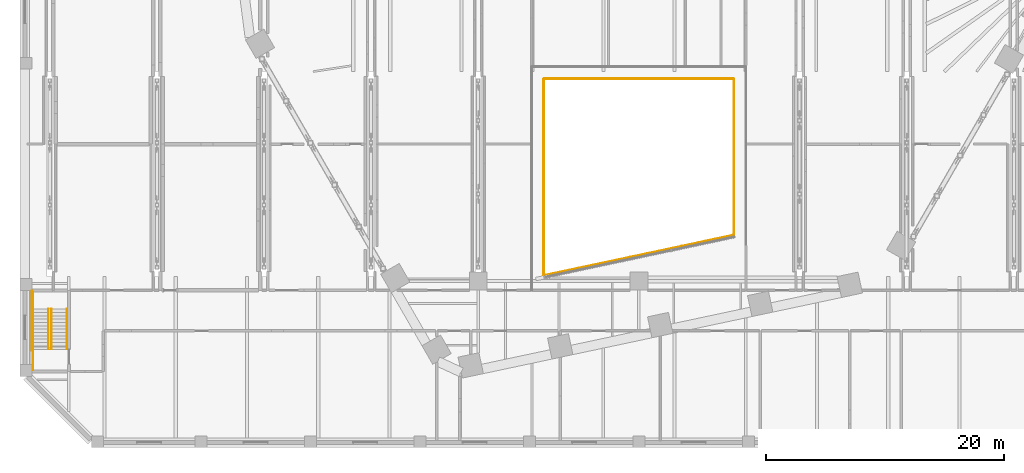
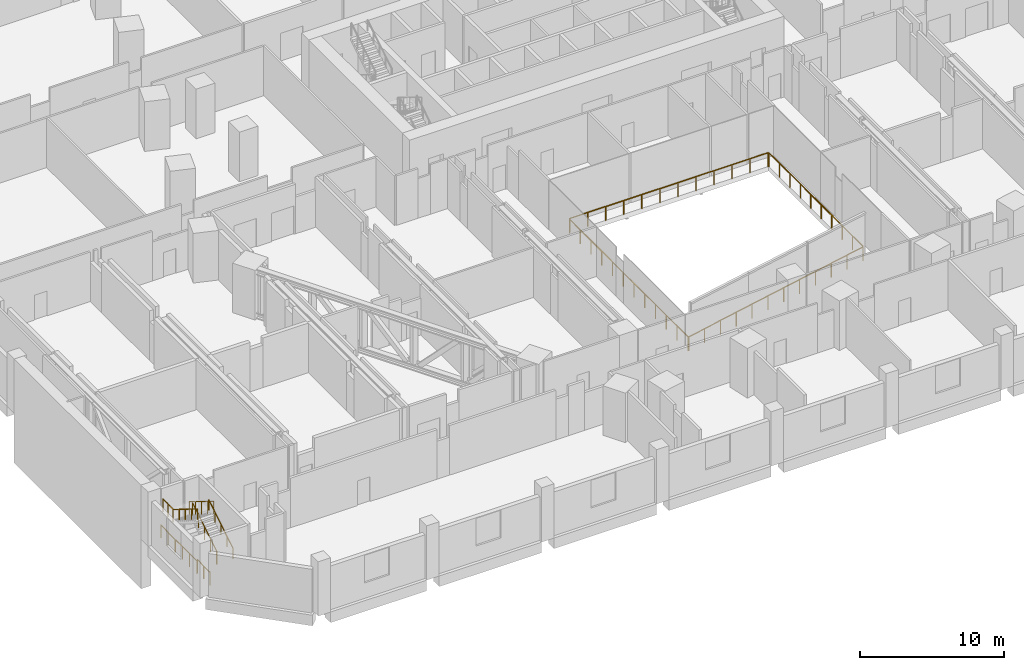
# One storey, part 28 of 32: 11 railings.
"""IFC4 building model written with IfcOpenShell, lengths in metres."""

from ifc_helpers import new_model, si_unit, direction, frame, origin, origin_2d, place, context, subcontext, project, spatial, circle, extrude, material, type_object, element, save


model = new_model("IFC4")

# Units and contexts
model_context = context("Model", 3, precision=1e-05, world=origin(), true_north=direction((0.0, 1.0)))
body_context = subcontext(model_context, "Body", "Model", "MODEL_VIEW")
ifc_project = project(units=[si_unit("LENGTHUNIT", "METRE"), si_unit("AREAUNIT", "SQUARE_METRE"), si_unit("VOLUMEUNIT", "CUBIC_METRE"), si_unit("PLANEANGLEUNIT", "RADIAN"), si_unit("MASSUNIT", "GRAM", prefix="KILO")], contexts=[model_context])

# Site, building, storey
site_placement = place(None, origin())
site = spatial("IfcSite", under=ifc_project, at=site_placement, CompositionType="ELEMENT")
building_placement = place(site_placement, origin())
building = spatial("IfcBuilding", under=site, at=building_placement, Name="Isthmus Gate Tower", CompositionType="ELEMENT")
storey_placement = place(building_placement, frame((0.0, 0.0, 18.0)))
storey = spatial("IfcBuildingStorey", under=building, at=storey_placement, Name="L02", CompositionType="ELEMENT", Elevation=18.0)

# Railings
ifc_material_1 = material(Name="Toughened laminated glass with stainless steel handrail", Category="steel")
railing_type_1 = type_object("IfcRailingType", Name="Atrium glass guard 1200", PredefinedType="GUARDRAIL", material=ifc_material_1)
railing_1_placement = place(storey_placement, frame((-7.951171875, -26.53369140625, 0.0)))
element("IfcRailing", 1, at=railing_1_placement, inside=storey, type_object=railing_type_1, Name="L02 atrium glass guard 1", PredefinedType="GUARDRAIL", context=body_context, shape_type="SweptSolid", body=[
    extrude(circle(Radius=0.030029296875, at=origin_2d()), frame((0.0, 0.0, 1.169921875), z_axis=(0.978147857881, 0.20791048103, 0.0), x_axis=(-0.20791048103, 0.978147857881, 0.0)), (0.0, 0.0, 1.0), 16.257568359375),
    extrude(circle(Radius=0.02490234375, at=origin_2d()), origin(), (0.0, 0.0, 1.0), 1.139892578125),
    extrude(circle(Radius=0.02490234375, at=origin_2d()), frame((1.445556640625, 0.307373046875, 0.0)), (0.0, 0.0, 1.0), 1.139892578125),
    extrude(circle(Radius=0.02490234375, at=origin_2d()), frame((2.891357421875, 0.614501953125, 0.0)), (0.0, 0.0, 1.0), 1.139892578125),
    extrude(circle(Radius=0.02490234375, at=origin_2d()), frame((4.3369140625, 0.921875, 0.0)), (0.0, 0.0, 1.0), 1.139892578125),
    extrude(circle(Radius=0.02490234375, at=origin_2d()), frame((5.78271484375, 1.229248046875, 0.0)), (0.0, 0.0, 1.0), 1.139892578125),
    extrude(circle(Radius=0.02490234375, at=origin_2d()), frame((7.228271484375, 1.536376953125, 0.0)), (0.0, 0.0, 1.0), 1.139892578125),
    extrude(circle(Radius=0.02490234375, at=origin_2d()), frame((8.674072265625, 1.84375, 0.0)), (0.0, 0.0, 1.0), 1.139892578125),
    extrude(circle(Radius=0.02490234375, at=origin_2d()), frame((10.11962890625, 2.15087890625, 0.0)), (0.0, 0.0, 1.0), 1.139892578125),
    extrude(circle(Radius=0.02490234375, at=origin_2d()), frame((11.5654296875, 2.458251953125, 0.0)), (0.0, 0.0, 1.0), 1.139892578125),
    extrude(circle(Radius=0.02490234375, at=origin_2d()), frame((13.010986328125, 2.765625, 0.0)), (0.0, 0.0, 1.0), 1.139892578125),
    extrude(circle(Radius=0.02490234375, at=origin_2d()), frame((14.456787109375, 3.07275390625, 0.0)), (0.0, 0.0, 1.0), 1.139892578125),
    extrude(circle(Radius=0.02490234375, at=origin_2d()), frame((15.90234375, 3.380126953125, 0.0)), (0.0, 0.0, 1.0), 1.139892578125),
])
railing_2_placement = place(storey_placement, frame((8.0, -23.09326171875, 0.0)))
element("IfcRailing", 2, at=railing_2_placement, inside=storey, type_object=railing_type_1, Name="L02 atrium glass guard 2", PredefinedType="GUARDRAIL", context=body_context, shape_type="SweptSolid", body=[
    extrude(circle(Radius=0.030029296875, at=origin_2d()), frame((0.0, 0.0, 1.169921875), z_axis=(0.0, 1.0, 0.0), x_axis=(-1.0, 0.0, 0.0)), (0.0, 0.0, 1.0), 13.043212890625),
    extrude(circle(Radius=0.02490234375, at=origin_2d()), origin(), (0.0, 0.0, 1.0), 1.139892578125),
    extrude(circle(Radius=0.02490234375, at=origin_2d()), frame((0.0, 1.44921875, 0.0)), (0.0, 0.0, 1.0), 1.139892578125),
    extrude(circle(Radius=0.02490234375, at=origin_2d()), frame((0.0, 2.8984375, 0.0)), (0.0, 0.0, 1.0), 1.139892578125),
    extrude(circle(Radius=0.02490234375, at=origin_2d()), frame((0.0, 4.34765625, 0.0)), (0.0, 0.0, 1.0), 1.139892578125),
    extrude(circle(Radius=0.02490234375, at=origin_2d()), frame((0.0, 5.796875, 0.0)), (0.0, 0.0, 1.0), 1.139892578125),
    extrude(circle(Radius=0.02490234375, at=origin_2d()), frame((0.0, 7.246337890625, 0.0)), (0.0, 0.0, 1.0), 1.139892578125),
    extrude(circle(Radius=0.02490234375, at=origin_2d()), frame((0.0, 8.695556640625, 0.0)), (0.0, 0.0, 1.0), 1.139892578125),
    extrude(circle(Radius=0.02490234375, at=origin_2d()), frame((0.0, 10.144775390625, 0.0)), (0.0, 0.0, 1.0), 1.139892578125),
    extrude(circle(Radius=0.02490234375, at=origin_2d()), frame((0.0, 11.593994140625, 0.0)), (0.0, 0.0, 1.0), 1.139892578125),
    extrude(circle(Radius=0.02490234375, at=origin_2d()), frame((0.0, 13.043212890625, 0.0)), (0.0, 0.0, 1.0), 1.139892578125),
])
railing_3_placement = place(storey_placement, frame((7.949951171875, -10.0, 0.0)))
element("IfcRailing", 3, at=railing_3_placement, inside=storey, type_object=railing_type_1, Name="L02 atrium glass guard 3", PredefinedType="GUARDRAIL", context=body_context, shape_type="SweptSolid", body=[
    extrude(circle(Radius=0.030029296875, at=origin_2d()), frame((0.0, 0.0, 1.169921875), z_axis=(-1.0, 0.0, 0.0), x_axis=(0.0, -1.0, 0.0)), (0.0, 0.0, 1.0), 15.89990234375),
    extrude(circle(Radius=0.02490234375, at=origin_2d()), origin(), (0.0, 0.0, 1.0), 1.139892578125),
    extrude(circle(Radius=0.02490234375, at=origin_2d()), frame((-1.445556640625, 0.0, 0.0)), (0.0, 0.0, 1.0), 1.139892578125),
    extrude(circle(Radius=0.02490234375, at=origin_2d()), frame((-2.890869140625, 0.0, 0.0)), (0.0, 0.0, 1.0), 1.139892578125),
    extrude(circle(Radius=0.02490234375, at=origin_2d()), frame((-4.33642578125, 0.0, 0.0)), (0.0, 0.0, 1.0), 1.139892578125),
    extrude(circle(Radius=0.02490234375, at=origin_2d()), frame((-5.78173828125, 0.0, 0.0)), (0.0, 0.0, 1.0), 1.139892578125),
    extrude(circle(Radius=0.02490234375, at=origin_2d()), frame((-7.227294921875, 0.0, 0.0)), (0.0, 0.0, 1.0), 1.139892578125),
    extrude(circle(Radius=0.02490234375, at=origin_2d()), frame((-8.672607421875, 0.0, 0.0)), (0.0, 0.0, 1.0), 1.139892578125),
    extrude(circle(Radius=0.02490234375, at=origin_2d()), frame((-10.1181640625, 0.0, 0.0)), (0.0, 0.0, 1.0), 1.139892578125),
    extrude(circle(Radius=0.02490234375, at=origin_2d()), frame((-11.5634765625, 0.0, 0.0)), (0.0, 0.0, 1.0), 1.139892578125),
    extrude(circle(Radius=0.02490234375, at=origin_2d()), frame((-13.009033203125, 0.0, 0.0)), (0.0, 0.0, 1.0), 1.139892578125),
    extrude(circle(Radius=0.02490234375, at=origin_2d()), frame((-14.454345703125, 0.0, 0.0)), (0.0, 0.0, 1.0), 1.139892578125),
    extrude(circle(Radius=0.02490234375, at=origin_2d()), frame((-15.89990234375, 0.0, 0.0)), (0.0, 0.0, 1.0), 1.139892578125),
])
railing_4_placement = place(storey_placement, frame((-8.0, -10.050048828125, 0.0)))
element("IfcRailing", 4, at=railing_4_placement, inside=storey, type_object=railing_type_1, Name="L02 atrium glass guard 4", PredefinedType="GUARDRAIL", context=body_context, shape_type="SweptSolid", body=[
    extrude(circle(Radius=0.030029296875, at=origin_2d()), frame((0.0, 0.0, 1.169921875), z_axis=(0.0, -1.0, 0.0), x_axis=(1.0, 0.0, 0.0)), (0.0, 0.0, 1.0), 16.444091796875),
    extrude(circle(Radius=0.02490234375, at=origin_2d()), origin(), (0.0, 0.0, 1.0), 1.139892578125),
    extrude(circle(Radius=0.02490234375, at=origin_2d()), frame((0.0, -1.494873046875, 0.0)), (0.0, 0.0, 1.0), 1.139892578125),
    extrude(circle(Radius=0.02490234375, at=origin_2d()), frame((0.0, -2.98974609375, 0.0)), (0.0, 0.0, 1.0), 1.139892578125),
    extrude(circle(Radius=0.02490234375, at=origin_2d()), frame((0.0, -4.48486328125, 0.0)), (0.0, 0.0, 1.0), 1.139892578125),
    extrude(circle(Radius=0.02490234375, at=origin_2d()), frame((0.0, -5.979736328125, 0.0)), (0.0, 0.0, 1.0), 1.139892578125),
    extrude(circle(Radius=0.02490234375, at=origin_2d()), frame((0.0, -7.474609375, 0.0)), (0.0, 0.0, 1.0), 1.139892578125),
    extrude(circle(Radius=0.02490234375, at=origin_2d()), frame((0.0, -8.969482421875, 0.0)), (0.0, 0.0, 1.0), 1.139892578125),
    extrude(circle(Radius=0.02490234375, at=origin_2d()), frame((0.0, -10.46435546875, 0.0)), (0.0, 0.0, 1.0), 1.139892578125),
    extrude(circle(Radius=0.02490234375, at=origin_2d()), frame((0.0, -11.959228515625, 0.0)), (0.0, 0.0, 1.0), 1.139892578125),
    extrude(circle(Radius=0.02490234375, at=origin_2d()), frame((0.0, -13.454345703125, 0.0)), (0.0, 0.0, 1.0), 1.139892578125),
    extrude(circle(Radius=0.02490234375, at=origin_2d()), frame((0.0, -14.94921875, 0.0)), (0.0, 0.0, 1.0), 1.139892578125),
    extrude(circle(Radius=0.02490234375, at=origin_2d()), frame((0.0, -16.444091796875, 0.0)), (0.0, 0.0, 1.0), 1.139892578125),
])
ifc_material_2 = material(Name="Painted steel balusters with timber handrail", Category="steel")
railing_type_2 = type_object("IfcRailingType", Name="Podium stair guard 1100", PredefinedType="GUARDRAIL", material=ifc_material_2)
railing_5_placement = place(storey_placement, frame((-49.35009765625, -32.72509765625, 0.173095703125)))
element("IfcRailing", 5, at=railing_5_placement, inside=storey, type_object=railing_type_2, Name="L02 ST3 stair guard 1", PredefinedType="GUARDRAIL", context=body_context, shape_type="SweptSolid", body=[
    extrude(circle(Radius=0.02392578125, at=origin_2d()), frame((0.0, 0.0, 1.076171875), z_axis=(0.0, 0.850623216509, 0.525775754039), x_axis=(-1.0, 0.0, 0.0)), (0.0, 0.0, 1.0), 3.9501953125),
    extrude(circle(Radius=0.02099609375, at=origin_2d()), origin(), (0.0, 0.0, 1.0), 1.052001953125),
    extrude(circle(Radius=0.02099609375, at=origin_2d()), frame((0.0, 0.840087890625, 0.519287109375)), (0.0, 0.0, 1.0), 1.052001953125),
    extrude(circle(Radius=0.02099609375, at=origin_2d()), frame((0.0, 1.68017578125, 1.03857421875)), (0.0, 0.0, 1.0), 1.052001953125),
    extrude(circle(Radius=0.02099609375, at=origin_2d()), frame((0.0, 2.52001953125, 1.5576171875)), (0.0, 0.0, 1.0), 1.052001953125),
    extrude(circle(Radius=0.02099609375, at=origin_2d()), frame((0.0, 3.360107421875, 2.076904296875)), (0.0, 0.0, 1.0), 1.052001953125),
])
railing_6_placement = place(storey_placement, frame((-50.89990234375, -29.364990234375, 2.25)))
element("IfcRailing", 6, at=railing_6_placement, inside=storey, type_object=railing_type_2, Name="L02 ST3 stair guard 2", PredefinedType="GUARDRAIL", context=body_context, shape_type="SweptSolid", body=[
    extrude(circle(Radius=0.02392578125, at=origin_2d()), frame((0.0, 0.0, 1.076171875), z_axis=(0.0, 1.0, 0.0), x_axis=(-1.0, 0.0, 0.0)), (0.0, 0.0, 1.0), 1.43603515625),
    extrude(circle(Radius=0.02099609375, at=origin_2d()), origin(), (0.0, 0.0, 1.0), 1.052001953125),
    extrude(circle(Radius=0.02099609375, at=origin_2d()), frame((0.0, 0.718017578125, 0.0)), (0.0, 0.0, 1.0), 1.052001953125),
    extrude(circle(Radius=0.02099609375, at=origin_2d()), frame((0.0, 1.43603515625, 0.0)), (0.0, 0.0, 1.0), 1.052001953125),
])
railing_7_placement = place(storey_placement, frame((-49.60009765625, -29.364990234375, 2.423095703125)))
element("IfcRailing", 7, at=railing_7_placement, inside=storey, type_object=railing_type_2, Name="L02 ST3 stair guard 3", PredefinedType="GUARDRAIL", context=body_context, shape_type="SweptSolid", body=[
    extrude(circle(Radius=0.02392578125, at=origin_2d()), frame((0.0, 0.0, 1.076171875), z_axis=(0.0, -0.850623216509, 0.525775754039), x_axis=(1.0, 0.0, 0.0)), (0.0, 0.0, 1.0), 3.9501953125),
    extrude(circle(Radius=0.02099609375, at=origin_2d()), origin(), (0.0, 0.0, 1.0), 1.052001953125),
    extrude(circle(Radius=0.02099609375, at=origin_2d()), frame((0.0, -0.840087890625, 0.519287109375)), (0.0, 0.0, 1.0), 1.052001953125),
    extrude(circle(Radius=0.02099609375, at=origin_2d()), frame((0.0, -1.68017578125, 1.03857421875)), (0.0, 0.0, 1.0), 1.052001953125),
    extrude(circle(Radius=0.02099609375, at=origin_2d()), frame((0.0, -2.52001953125, 1.5576171875)), (0.0, 0.0, 1.0), 1.052001953125),
    extrude(circle(Radius=0.02099609375, at=origin_2d()), frame((0.0, -3.360107421875, 2.076904296875)), (0.0, 0.0, 1.0), 1.052001953125),
])
railing_8_placement = place(storey_placement, frame((-50.89990234375, -34.47509765625, 0.0)))
element("IfcRailing", 8, at=railing_8_placement, inside=storey, type_object=railing_type_2, Name="L02 ST3 stair guard 4", PredefinedType="GUARDRAIL", context=body_context, shape_type="SweptSolid", body=[
    extrude(circle(Radius=0.02392578125, at=origin_2d()), frame((0.0, 0.0, 1.076171875), z_axis=(0.0, 1.0, 0.0), x_axis=(-1.0, 0.0, 0.0)), (0.0, 0.0, 1.0), 1.75),
    extrude(circle(Radius=0.02099609375, at=origin_2d()), origin(), (0.0, 0.0, 1.0), 1.052001953125),
    extrude(circle(Radius=0.02099609375, at=origin_2d()), frame((0.0, 0.875, 0.0)), (0.0, 0.0, 1.0), 1.052001953125),
    extrude(circle(Radius=0.02099609375, at=origin_2d()), frame((0.0, 1.75, 0.0)), (0.0, 0.0, 1.0), 1.052001953125),
])
railing_9_placement = place(storey_placement, frame((-51.0, -32.824951171875, 0.0)))
element("IfcRailing", 9, at=railing_9_placement, inside=storey, type_object=railing_type_2, Name="L02 ST3 stair guard 5", PredefinedType="GUARDRAIL", context=body_context, shape_type="SweptSolid", body=[
    extrude(circle(Radius=0.02392578125, at=origin_2d()), frame((0.0, 0.0, 1.076171875), z_axis=(0.0, 1.0, 0.0), x_axis=(-1.0, 0.0, 0.0)), (0.0, 0.0, 1.0), 4.995849609375),
    extrude(circle(Radius=0.02099609375, at=origin_2d()), origin(), (0.0, 0.0, 1.0), 1.052001953125),
    extrude(circle(Radius=0.02099609375, at=origin_2d()), frame((0.0, 0.999267578125, 0.0)), (0.0, 0.0, 1.0), 1.052001953125),
    extrude(circle(Radius=0.02099609375, at=origin_2d()), frame((0.0, 1.998291015625, 0.0)), (0.0, 0.0, 1.0), 1.052001953125),
    extrude(circle(Radius=0.02099609375, at=origin_2d()), frame((0.0, 2.99755859375, 0.0)), (0.0, 0.0, 1.0), 1.052001953125),
    extrude(circle(Radius=0.02099609375, at=origin_2d()), frame((0.0, 3.99658203125, 0.0)), (0.0, 0.0, 1.0), 1.052001953125),
    extrude(circle(Radius=0.02099609375, at=origin_2d()), frame((0.0, 4.995849609375, 0.0)), (0.0, 0.0, 1.0), 1.052001953125),
])
ifc_material_3 = material(Name="Stainless steel tube", Category="steel")
railing_type_3 = type_object("IfcRailingType", Name="Podium stair handrail 900", PredefinedType="HANDRAIL", material=ifc_material_3)
railing_10_placement = place(storey_placement, frame((-48.050048828125, -32.72509765625, 0.173095703125)))
element("IfcRailing", 10, at=railing_10_placement, inside=storey, type_object=railing_type_3, Name="L02 ST3 stair handrail 1", PredefinedType="HANDRAIL", context=body_context, shape_type="SweptSolid", body=[
    extrude(circle(Radius=0.02392578125, at=origin_2d()), frame((0.0, 0.0, 0.8759765625), z_axis=(0.0, 0.850623216509, 0.525775754039), x_axis=(-1.0, 0.0, 0.0)), (0.0, 0.0, 1.0), 3.9501953125),
    extrude(circle(Radius=0.02099609375, at=origin_2d()), origin(), (0.0, 0.0, 1.0), 0.851806640625),
    extrude(circle(Radius=0.02099609375, at=origin_2d()), frame((0.0, 0.840087890625, 0.519287109375)), (0.0, 0.0, 1.0), 0.851806640625),
    extrude(circle(Radius=0.02099609375, at=origin_2d()), frame((0.0, 1.68017578125, 1.03857421875)), (0.0, 0.0, 1.0), 0.851806640625),
    extrude(circle(Radius=0.02099609375, at=origin_2d()), frame((0.0, 2.52001953125, 1.5576171875)), (0.0, 0.0, 1.0), 0.851806640625),
    extrude(circle(Radius=0.02099609375, at=origin_2d()), frame((0.0, 3.360107421875, 2.076904296875)), (0.0, 0.0, 1.0), 0.851806640625),
])
railing_11_placement = place(storey_placement, frame((-50.89990234375, -29.364990234375, 2.423095703125)))
element("IfcRailing", 11, at=railing_11_placement, inside=storey, type_object=railing_type_3, Name="L02 ST3 stair handrail 2", PredefinedType="HANDRAIL", context=body_context, shape_type="SweptSolid", body=[
    extrude(circle(Radius=0.02392578125, at=origin_2d()), frame((0.0, 0.0, 0.8759765625), z_axis=(0.0, -0.850623216509, 0.525775754039), x_axis=(1.0, 0.0, 0.0)), (0.0, 0.0, 1.0), 3.9501953125),
    extrude(circle(Radius=0.02099609375, at=origin_2d()), origin(), (0.0, 0.0, 1.0), 0.851806640625),
    extrude(circle(Radius=0.02099609375, at=origin_2d()), frame((0.0, -0.840087890625, 0.519287109375)), (0.0, 0.0, 1.0), 0.851806640625),
    extrude(circle(Radius=0.02099609375, at=origin_2d()), frame((0.0, -1.68017578125, 1.03857421875)), (0.0, 0.0, 1.0), 0.851806640625),
    extrude(circle(Radius=0.02099609375, at=origin_2d()), frame((0.0, -2.52001953125, 1.5576171875)), (0.0, 0.0, 1.0), 0.851806640625),
    extrude(circle(Radius=0.02099609375, at=origin_2d()), frame((0.0, -3.360107421875, 2.076904296875)), (0.0, 0.0, 1.0), 0.851806640625),
])

save(model, "model.ifc")
